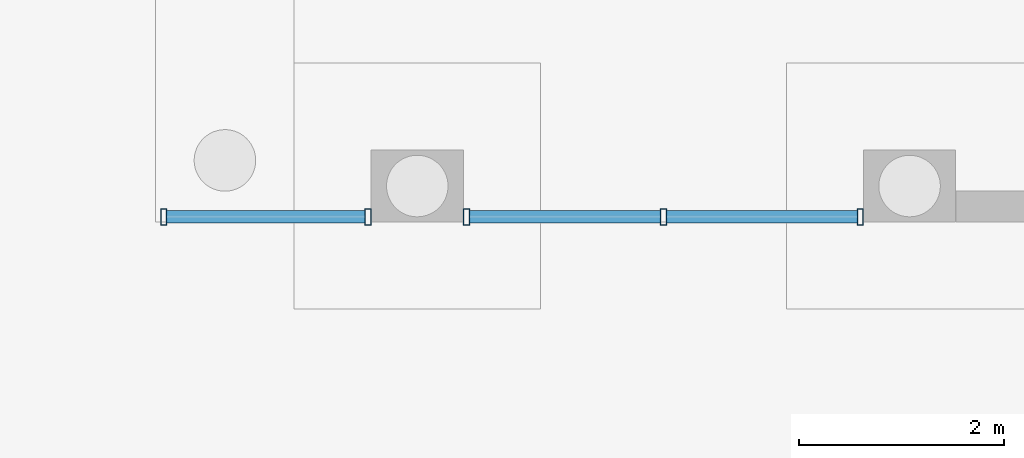
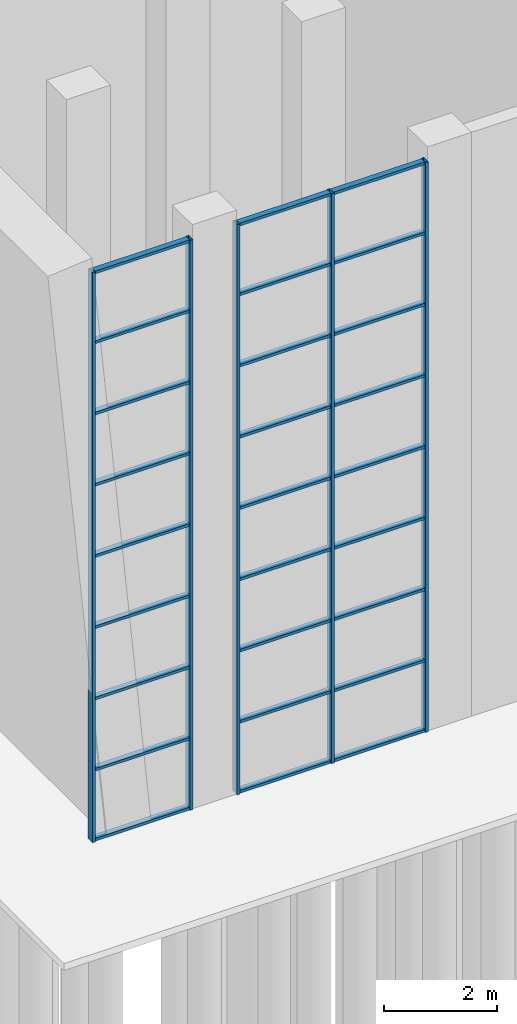
# One storey, part 8 of 58: 32 members, 2 elements without a shape of their own.
"""IFC4 building model written with IfcOpenShell, lengths in metres."""

from ifc_helpers import new_model, si_unit, direction, frame, origin, origin_2d, place, context, subcontext, project, spatial, hollow_rectangle, extrude, material, layer, layer_set, material_profile, profile_set, type_object, element, aggregate, save


model = new_model("IFC4")

# Units and contexts
model_context = context("Model", 3, precision=1e-05, world=origin(), true_north=direction((0.0, 1.0)))
body_context = subcontext(model_context, "Body", "Model", "MODEL_VIEW")
ifc_project = project(units=[si_unit("LENGTHUNIT", "METRE"), si_unit("AREAUNIT", "SQUARE_METRE"), si_unit("VOLUMEUNIT", "CUBIC_METRE"), si_unit("PLANEANGLEUNIT", "RADIAN"), si_unit("MASSUNIT", "GRAM", prefix="KILO")], contexts=[model_context])

# Site, building, storey
site_placement = place(None, origin())
site = spatial("IfcSite", under=ifc_project, at=site_placement, CompositionType="ELEMENT")
building_placement = place(site_placement, origin())
building = spatial("IfcBuilding", under=site, at=building_placement, Name="Baori Bourse Tower", CompositionType="ELEMENT")
storey_placement = place(building_placement, origin())
storey = spatial("IfcBuildingStorey", under=building, at=storey_placement, Name="L00", CompositionType="ELEMENT", Elevation=0.0)

# Curtain wall, members
ifc_material_1 = material(Name="Pale anodised aluminium", Category="aluminium")
ifc_layer = layer(ifc_material_1, 0.10009765625)
ifc_layer_set = layer_set([ifc_layer], Name="Wing curtain wall")
curtain_wall_type = type_object("IfcCurtainWallType", Name="Wing curtain wall", PredefinedType="NOTDEFINED", material=ifc_layer_set)
curtain_wall_1_placement = place(storey_placement, origin())
curtain_wall_1 = element("IfcCurtainWall", 1, at=curtain_wall_1_placement, inside=storey, type_object=curtain_wall_type, Name="wing/L00/Wcw/001", PredefinedType="NOTDEFINED")
ifc_material_2 = material(Name="Pale anodised aluminium", Category="aluminium")
ifc_material_profile_1 = material_profile(ifc_material_2, hollow_rectangle(XDim=0.159912109375, YDim=0.06005859375, WallThickness=0.0048828125, at=origin_2d()), Name="Mullion 160x60x5")
ifc_profile_set_1 = profile_set([ifc_material_profile_1], Name="Pale anodised aluminium")
member_type_1 = type_object("IfcMemberType", Name="Wing mullion 60x160", PredefinedType="MULLION", material=ifc_profile_set_1)
member_1_placement = place(storey_placement, frame((-16.87255859375, -25.14990234375, 0.0), z_axis=(0.0, 0.0, 1.0), x_axis=(0.0, 1.0, 0.0)))
member_1 = element("IfcMember", 2, at=member_1_placement, type_object=member_type_1, Name="X12 mullion 1", PredefinedType="MULLION", context=body_context, shape_type="SweptSolid", body=[
    extrude(hollow_rectangle(XDim=0.159912109375, YDim=0.06005859375, WallThickness=0.0048828125, at=origin_2d()), origin(), (0.0, 0.0, 1.0), 12.300048828125),
])
member_2_placement = place(storey_placement, frame((-14.8798828125, -25.14990234375, 0.0), z_axis=(0.0, 0.0, 1.0), x_axis=(0.0, 1.0, 0.0)))
member_2 = element("IfcMember", 3, at=member_2_placement, type_object=member_type_1, Name="X12 mullion 2", PredefinedType="MULLION", context=body_context, shape_type="SweptSolid", body=[
    extrude(hollow_rectangle(XDim=0.159912109375, YDim=0.06005859375, WallThickness=0.0048828125, at=origin_2d()), origin(), (0.0, 0.0, 1.0), 12.300048828125),
])

curtain_wall_2_placement = place(storey_placement, origin())
curtain_wall_2 = element("IfcCurtainWall", 4, at=curtain_wall_2_placement, inside=storey, type_object=curtain_wall_type, Name="wing/L00/Wcw/002", PredefinedType="NOTDEFINED")
member_3_placement = place(storey_placement, frame((-13.919921875, -25.14990234375, 0.0), z_axis=(0.0, 0.0, 1.0), x_axis=(0.0, 1.0, 0.0)))
member_3 = element("IfcMember", 5, at=member_3_placement, type_object=member_type_1, Name="X12 mullion 1", PredefinedType="MULLION", context=body_context, shape_type="SweptSolid", body=[
    extrude(hollow_rectangle(XDim=0.159912109375, YDim=0.06005859375, WallThickness=0.0048828125, at=origin_2d()), origin(), (0.0, 0.0, 1.0), 12.300048828125),
])
member_4_placement = place(storey_placement, frame((-12.0, -25.14990234375, 0.0), z_axis=(0.0, 0.0, 1.0), x_axis=(0.0, 1.0, 0.0)))
member_4 = element("IfcMember", 6, at=member_4_placement, type_object=member_type_1, Name="X12 mullion 2", PredefinedType="MULLION", context=body_context, shape_type="SweptSolid", body=[
    extrude(hollow_rectangle(XDim=0.159912109375, YDim=0.06005859375, WallThickness=0.0048828125, at=origin_2d()), origin(), (0.0, 0.0, 1.0), 12.300048828125),
])
member_5_placement = place(storey_placement, frame((-10.080078125, -25.14990234375, 0.0), z_axis=(0.0, 0.0, 1.0), x_axis=(0.0, 1.0, 0.0)))
member_5 = element("IfcMember", 7, at=member_5_placement, type_object=member_type_1, Name="X12 mullion 3", PredefinedType="MULLION", context=body_context, shape_type="SweptSolid", body=[
    extrude(hollow_rectangle(XDim=0.159912109375, YDim=0.06005859375, WallThickness=0.0048828125, at=origin_2d()), origin(), (0.0, 0.0, 1.0), 12.300048828125),
])

# Member
ifc_material_3 = material(Name="Pale anodised aluminium", Category="aluminium")
ifc_material_profile_2 = material_profile(ifc_material_3, hollow_rectangle(XDim=0.1201171875, YDim=0.06005859375, WallThickness=0.0048828125, at=origin_2d()), Name="Transom 120x60x5")
ifc_profile_set_2 = profile_set([ifc_material_profile_2], Name="Pale anodised aluminium")
member_type_2 = type_object("IfcMemberType", Name="Wing transom 120x60", PredefinedType="USERDEFINED", material=ifc_profile_set_2)
member_6_placement = place(storey_placement, frame((-16.842529296875, -25.14990234375, 0.030029296875), z_axis=(1.0, 0.0, 0.0), x_axis=(0.0, 1.0, 0.0)))
member_6 = element("IfcMember", 8, at=member_6_placement, type_object=member_type_2, Name="X12 transom 1.1", ObjectType="TRANSOM", PredefinedType="USERDEFINED", context=body_context, shape_type="SweptSolid", body=[
    extrude(hollow_rectangle(XDim=0.1201171875, YDim=0.06005859375, WallThickness=0.0048828125, at=origin_2d()), origin(), (0.0, 0.0, 1.0), 1.9326171875),
])

member_7_placement = place(storey_placement, frame((-16.842529296875, -25.14990234375, 1.53759765625), z_axis=(1.0, 0.0, 0.0), x_axis=(0.0, 1.0, 0.0)))
member_7 = element("IfcMember", 9, at=member_7_placement, type_object=member_type_2, Name="X12 transom 1.2", ObjectType="TRANSOM", PredefinedType="USERDEFINED", context=body_context, shape_type="SweptSolid", body=[
    extrude(hollow_rectangle(XDim=0.1201171875, YDim=0.06005859375, WallThickness=0.0048828125, at=origin_2d()), origin(), (0.0, 0.0, 1.0), 1.9326171875),
])

member_8_placement = place(storey_placement, frame((-16.842529296875, -25.14990234375, 3.074951171875), z_axis=(1.0, 0.0, 0.0), x_axis=(0.0, 1.0, 0.0)))
member_8 = element("IfcMember", 10, at=member_8_placement, type_object=member_type_2, Name="X12 transom 1.3", ObjectType="TRANSOM", PredefinedType="USERDEFINED", context=body_context, shape_type="SweptSolid", body=[
    extrude(hollow_rectangle(XDim=0.1201171875, YDim=0.06005859375, WallThickness=0.0048828125, at=origin_2d()), origin(), (0.0, 0.0, 1.0), 1.9326171875),
])

member_9_placement = place(storey_placement, frame((-16.842529296875, -25.14990234375, 4.612548828125), z_axis=(1.0, 0.0, 0.0), x_axis=(0.0, 1.0, 0.0)))
member_9 = element("IfcMember", 11, at=member_9_placement, type_object=member_type_2, Name="X12 transom 1.4", ObjectType="TRANSOM", PredefinedType="USERDEFINED", context=body_context, shape_type="SweptSolid", body=[
    extrude(hollow_rectangle(XDim=0.1201171875, YDim=0.06005859375, WallThickness=0.0048828125, at=origin_2d()), origin(), (0.0, 0.0, 1.0), 1.9326171875),
])

member_10_placement = place(storey_placement, frame((-16.842529296875, -25.14990234375, 6.14990234375), z_axis=(1.0, 0.0, 0.0), x_axis=(0.0, 1.0, 0.0)))
member_10 = element("IfcMember", 12, at=member_10_placement, type_object=member_type_2, Name="X12 transom 1.5", ObjectType="TRANSOM", PredefinedType="USERDEFINED", context=body_context, shape_type="SweptSolid", body=[
    extrude(hollow_rectangle(XDim=0.1201171875, YDim=0.06005859375, WallThickness=0.0048828125, at=origin_2d()), origin(), (0.0, 0.0, 1.0), 1.9326171875),
])

member_11_placement = place(storey_placement, frame((-16.842529296875, -25.14990234375, 7.6875), z_axis=(1.0, 0.0, 0.0), x_axis=(0.0, 1.0, 0.0)))
member_11 = element("IfcMember", 13, at=member_11_placement, type_object=member_type_2, Name="X12 transom 1.6", ObjectType="TRANSOM", PredefinedType="USERDEFINED", context=body_context, shape_type="SweptSolid", body=[
    extrude(hollow_rectangle(XDim=0.1201171875, YDim=0.06005859375, WallThickness=0.0048828125, at=origin_2d()), origin(), (0.0, 0.0, 1.0), 1.9326171875),
])

member_12_placement = place(storey_placement, frame((-16.842529296875, -25.14990234375, 9.22509765625), z_axis=(1.0, 0.0, 0.0), x_axis=(0.0, 1.0, 0.0)))
member_12 = element("IfcMember", 14, at=member_12_placement, type_object=member_type_2, Name="X12 transom 1.7", ObjectType="TRANSOM", PredefinedType="USERDEFINED", context=body_context, shape_type="SweptSolid", body=[
    extrude(hollow_rectangle(XDim=0.1201171875, YDim=0.06005859375, WallThickness=0.0048828125, at=origin_2d()), origin(), (0.0, 0.0, 1.0), 1.9326171875),
])

member_13_placement = place(storey_placement, frame((-16.842529296875, -25.14990234375, 10.762451171875), z_axis=(1.0, 0.0, 0.0), x_axis=(0.0, 1.0, 0.0)))
member_13 = element("IfcMember", 15, at=member_13_placement, type_object=member_type_2, Name="X12 transom 1.8", ObjectType="TRANSOM", PredefinedType="USERDEFINED", context=body_context, shape_type="SweptSolid", body=[
    extrude(hollow_rectangle(XDim=0.1201171875, YDim=0.06005859375, WallThickness=0.0048828125, at=origin_2d()), origin(), (0.0, 0.0, 1.0), 1.9326171875),
])

member_14_placement = place(storey_placement, frame((-16.842529296875, -25.14990234375, 12.27001953125), z_axis=(1.0, 0.0, 0.0), x_axis=(0.0, 1.0, 0.0)))
member_14 = element("IfcMember", 16, at=member_14_placement, type_object=member_type_2, Name="X12 transom 1.9", ObjectType="TRANSOM", PredefinedType="USERDEFINED", context=body_context, shape_type="SweptSolid", body=[
    extrude(hollow_rectangle(XDim=0.1201171875, YDim=0.06005859375, WallThickness=0.0048828125, at=origin_2d()), origin(), (0.0, 0.0, 1.0), 1.9326171875),
])

aggregate(curtain_wall_1, [member_1, member_2, member_6, member_7, member_8, member_9, member_10, member_11, member_12, member_13, member_14])

member_15_placement = place(storey_placement, frame((-13.889892578125, -25.14990234375, 0.030029296875), z_axis=(1.0, 0.0, 0.0), x_axis=(0.0, 1.0, 0.0)))
member_15 = element("IfcMember", 17, at=member_15_placement, type_object=member_type_2, Name="X12 transom 1.1", ObjectType="TRANSOM", PredefinedType="USERDEFINED", context=body_context, shape_type="SweptSolid", body=[
    extrude(hollow_rectangle(XDim=0.1201171875, YDim=0.06005859375, WallThickness=0.0048828125, at=origin_2d()), origin(), (0.0, 0.0, 1.0), 1.85986328125),
])

member_16_placement = place(storey_placement, frame((-13.889892578125, -25.14990234375, 1.53759765625), z_axis=(1.0, 0.0, 0.0), x_axis=(0.0, 1.0, 0.0)))
member_16 = element("IfcMember", 18, at=member_16_placement, type_object=member_type_2, Name="X12 transom 1.2", ObjectType="TRANSOM", PredefinedType="USERDEFINED", context=body_context, shape_type="SweptSolid", body=[
    extrude(hollow_rectangle(XDim=0.1201171875, YDim=0.06005859375, WallThickness=0.0048828125, at=origin_2d()), origin(), (0.0, 0.0, 1.0), 1.85986328125),
])

member_17_placement = place(storey_placement, frame((-13.889892578125, -25.14990234375, 3.074951171875), z_axis=(1.0, 0.0, 0.0), x_axis=(0.0, 1.0, 0.0)))
member_17 = element("IfcMember", 19, at=member_17_placement, type_object=member_type_2, Name="X12 transom 1.3", ObjectType="TRANSOM", PredefinedType="USERDEFINED", context=body_context, shape_type="SweptSolid", body=[
    extrude(hollow_rectangle(XDim=0.1201171875, YDim=0.06005859375, WallThickness=0.0048828125, at=origin_2d()), origin(), (0.0, 0.0, 1.0), 1.85986328125),
])

member_18_placement = place(storey_placement, frame((-13.889892578125, -25.14990234375, 4.612548828125), z_axis=(1.0, 0.0, 0.0), x_axis=(0.0, 1.0, 0.0)))
member_18 = element("IfcMember", 20, at=member_18_placement, type_object=member_type_2, Name="X12 transom 1.4", ObjectType="TRANSOM", PredefinedType="USERDEFINED", context=body_context, shape_type="SweptSolid", body=[
    extrude(hollow_rectangle(XDim=0.1201171875, YDim=0.06005859375, WallThickness=0.0048828125, at=origin_2d()), origin(), (0.0, 0.0, 1.0), 1.85986328125),
])

member_19_placement = place(storey_placement, frame((-13.889892578125, -25.14990234375, 6.14990234375), z_axis=(1.0, 0.0, 0.0), x_axis=(0.0, 1.0, 0.0)))
member_19 = element("IfcMember", 21, at=member_19_placement, type_object=member_type_2, Name="X12 transom 1.5", ObjectType="TRANSOM", PredefinedType="USERDEFINED", context=body_context, shape_type="SweptSolid", body=[
    extrude(hollow_rectangle(XDim=0.1201171875, YDim=0.06005859375, WallThickness=0.0048828125, at=origin_2d()), origin(), (0.0, 0.0, 1.0), 1.85986328125),
])

member_20_placement = place(storey_placement, frame((-13.889892578125, -25.14990234375, 7.6875), z_axis=(1.0, 0.0, 0.0), x_axis=(0.0, 1.0, 0.0)))
member_20 = element("IfcMember", 22, at=member_20_placement, type_object=member_type_2, Name="X12 transom 1.6", ObjectType="TRANSOM", PredefinedType="USERDEFINED", context=body_context, shape_type="SweptSolid", body=[
    extrude(hollow_rectangle(XDim=0.1201171875, YDim=0.06005859375, WallThickness=0.0048828125, at=origin_2d()), origin(), (0.0, 0.0, 1.0), 1.85986328125),
])

member_21_placement = place(storey_placement, frame((-13.889892578125, -25.14990234375, 9.22509765625), z_axis=(1.0, 0.0, 0.0), x_axis=(0.0, 1.0, 0.0)))
member_21 = element("IfcMember", 23, at=member_21_placement, type_object=member_type_2, Name="X12 transom 1.7", ObjectType="TRANSOM", PredefinedType="USERDEFINED", context=body_context, shape_type="SweptSolid", body=[
    extrude(hollow_rectangle(XDim=0.1201171875, YDim=0.06005859375, WallThickness=0.0048828125, at=origin_2d()), origin(), (0.0, 0.0, 1.0), 1.85986328125),
])

member_22_placement = place(storey_placement, frame((-13.889892578125, -25.14990234375, 10.762451171875), z_axis=(1.0, 0.0, 0.0), x_axis=(0.0, 1.0, 0.0)))
member_22 = element("IfcMember", 24, at=member_22_placement, type_object=member_type_2, Name="X12 transom 1.8", ObjectType="TRANSOM", PredefinedType="USERDEFINED", context=body_context, shape_type="SweptSolid", body=[
    extrude(hollow_rectangle(XDim=0.1201171875, YDim=0.06005859375, WallThickness=0.0048828125, at=origin_2d()), origin(), (0.0, 0.0, 1.0), 1.85986328125),
])

member_23_placement = place(storey_placement, frame((-13.889892578125, -25.14990234375, 12.27001953125), z_axis=(1.0, 0.0, 0.0), x_axis=(0.0, 1.0, 0.0)))
member_23 = element("IfcMember", 25, at=member_23_placement, type_object=member_type_2, Name="X12 transom 1.9", ObjectType="TRANSOM", PredefinedType="USERDEFINED", context=body_context, shape_type="SweptSolid", body=[
    extrude(hollow_rectangle(XDim=0.1201171875, YDim=0.06005859375, WallThickness=0.0048828125, at=origin_2d()), origin(), (0.0, 0.0, 1.0), 1.85986328125),
])

member_24_placement = place(storey_placement, frame((-11.969970703125, -25.14990234375, 0.030029296875), z_axis=(1.0, 0.0, 0.0), x_axis=(0.0, 1.0, 0.0)))
member_24 = element("IfcMember", 26, at=member_24_placement, type_object=member_type_2, Name="X12 transom 2.1", ObjectType="TRANSOM", PredefinedType="USERDEFINED", context=body_context, shape_type="SweptSolid", body=[
    extrude(hollow_rectangle(XDim=0.1201171875, YDim=0.06005859375, WallThickness=0.0048828125, at=origin_2d()), origin(), (0.0, 0.0, 1.0), 1.85986328125),
])

member_25_placement = place(storey_placement, frame((-11.969970703125, -25.14990234375, 1.53759765625), z_axis=(1.0, 0.0, 0.0), x_axis=(0.0, 1.0, 0.0)))
member_25 = element("IfcMember", 27, at=member_25_placement, type_object=member_type_2, Name="X12 transom 2.2", ObjectType="TRANSOM", PredefinedType="USERDEFINED", context=body_context, shape_type="SweptSolid", body=[
    extrude(hollow_rectangle(XDim=0.1201171875, YDim=0.06005859375, WallThickness=0.0048828125, at=origin_2d()), origin(), (0.0, 0.0, 1.0), 1.85986328125),
])

member_26_placement = place(storey_placement, frame((-11.969970703125, -25.14990234375, 3.074951171875), z_axis=(1.0, 0.0, 0.0), x_axis=(0.0, 1.0, 0.0)))
member_26 = element("IfcMember", 28, at=member_26_placement, type_object=member_type_2, Name="X12 transom 2.3", ObjectType="TRANSOM", PredefinedType="USERDEFINED", context=body_context, shape_type="SweptSolid", body=[
    extrude(hollow_rectangle(XDim=0.1201171875, YDim=0.06005859375, WallThickness=0.0048828125, at=origin_2d()), origin(), (0.0, 0.0, 1.0), 1.85986328125),
])

member_27_placement = place(storey_placement, frame((-11.969970703125, -25.14990234375, 4.612548828125), z_axis=(1.0, 0.0, 0.0), x_axis=(0.0, 1.0, 0.0)))
member_27 = element("IfcMember", 29, at=member_27_placement, type_object=member_type_2, Name="X12 transom 2.4", ObjectType="TRANSOM", PredefinedType="USERDEFINED", context=body_context, shape_type="SweptSolid", body=[
    extrude(hollow_rectangle(XDim=0.1201171875, YDim=0.06005859375, WallThickness=0.0048828125, at=origin_2d()), origin(), (0.0, 0.0, 1.0), 1.85986328125),
])

member_28_placement = place(storey_placement, frame((-11.969970703125, -25.14990234375, 6.14990234375), z_axis=(1.0, 0.0, 0.0), x_axis=(0.0, 1.0, 0.0)))
member_28 = element("IfcMember", 30, at=member_28_placement, type_object=member_type_2, Name="X12 transom 2.5", ObjectType="TRANSOM", PredefinedType="USERDEFINED", context=body_context, shape_type="SweptSolid", body=[
    extrude(hollow_rectangle(XDim=0.1201171875, YDim=0.06005859375, WallThickness=0.0048828125, at=origin_2d()), origin(), (0.0, 0.0, 1.0), 1.85986328125),
])

member_29_placement = place(storey_placement, frame((-11.969970703125, -25.14990234375, 7.6875), z_axis=(1.0, 0.0, 0.0), x_axis=(0.0, 1.0, 0.0)))
member_29 = element("IfcMember", 31, at=member_29_placement, type_object=member_type_2, Name="X12 transom 2.6", ObjectType="TRANSOM", PredefinedType="USERDEFINED", context=body_context, shape_type="SweptSolid", body=[
    extrude(hollow_rectangle(XDim=0.1201171875, YDim=0.06005859375, WallThickness=0.0048828125, at=origin_2d()), origin(), (0.0, 0.0, 1.0), 1.85986328125),
])

member_30_placement = place(storey_placement, frame((-11.969970703125, -25.14990234375, 9.22509765625), z_axis=(1.0, 0.0, 0.0), x_axis=(0.0, 1.0, 0.0)))
member_30 = element("IfcMember", 32, at=member_30_placement, type_object=member_type_2, Name="X12 transom 2.7", ObjectType="TRANSOM", PredefinedType="USERDEFINED", context=body_context, shape_type="SweptSolid", body=[
    extrude(hollow_rectangle(XDim=0.1201171875, YDim=0.06005859375, WallThickness=0.0048828125, at=origin_2d()), origin(), (0.0, 0.0, 1.0), 1.85986328125),
])

member_31_placement = place(storey_placement, frame((-11.969970703125, -25.14990234375, 10.762451171875), z_axis=(1.0, 0.0, 0.0), x_axis=(0.0, 1.0, 0.0)))
member_31 = element("IfcMember", 33, at=member_31_placement, type_object=member_type_2, Name="X12 transom 2.8", ObjectType="TRANSOM", PredefinedType="USERDEFINED", context=body_context, shape_type="SweptSolid", body=[
    extrude(hollow_rectangle(XDim=0.1201171875, YDim=0.06005859375, WallThickness=0.0048828125, at=origin_2d()), origin(), (0.0, 0.0, 1.0), 1.85986328125),
])

member_32_placement = place(storey_placement, frame((-11.969970703125, -25.14990234375, 12.27001953125), z_axis=(1.0, 0.0, 0.0), x_axis=(0.0, 1.0, 0.0)))
member_32 = element("IfcMember", 34, at=member_32_placement, type_object=member_type_2, Name="X12 transom 2.9", ObjectType="TRANSOM", PredefinedType="USERDEFINED", context=body_context, shape_type="SweptSolid", body=[
    extrude(hollow_rectangle(XDim=0.1201171875, YDim=0.06005859375, WallThickness=0.0048828125, at=origin_2d()), origin(), (0.0, 0.0, 1.0), 1.85986328125),
])

aggregate(curtain_wall_2, [member_3, member_4, member_5, member_15, member_16, member_17, member_18, member_19, member_20, member_21, member_22, member_23, member_24, member_25, member_26, member_27, member_28, member_29, member_30, member_31, member_32])

save(model, "model.ifc")
